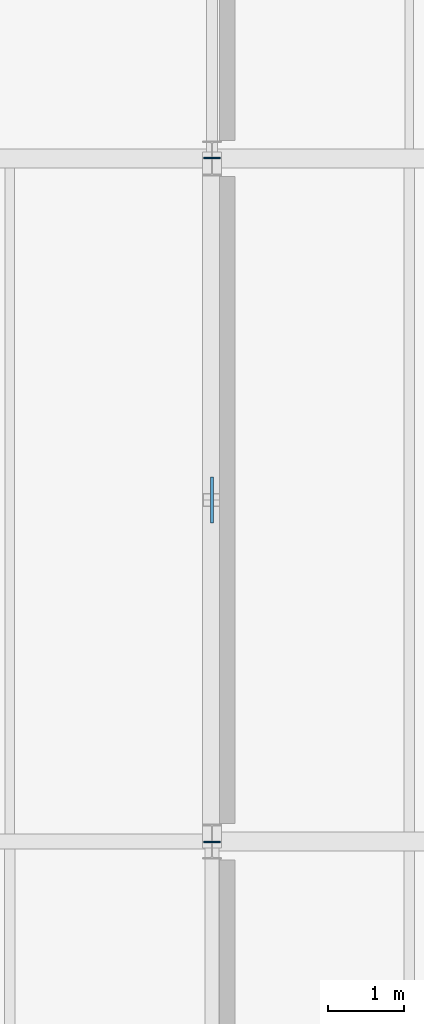
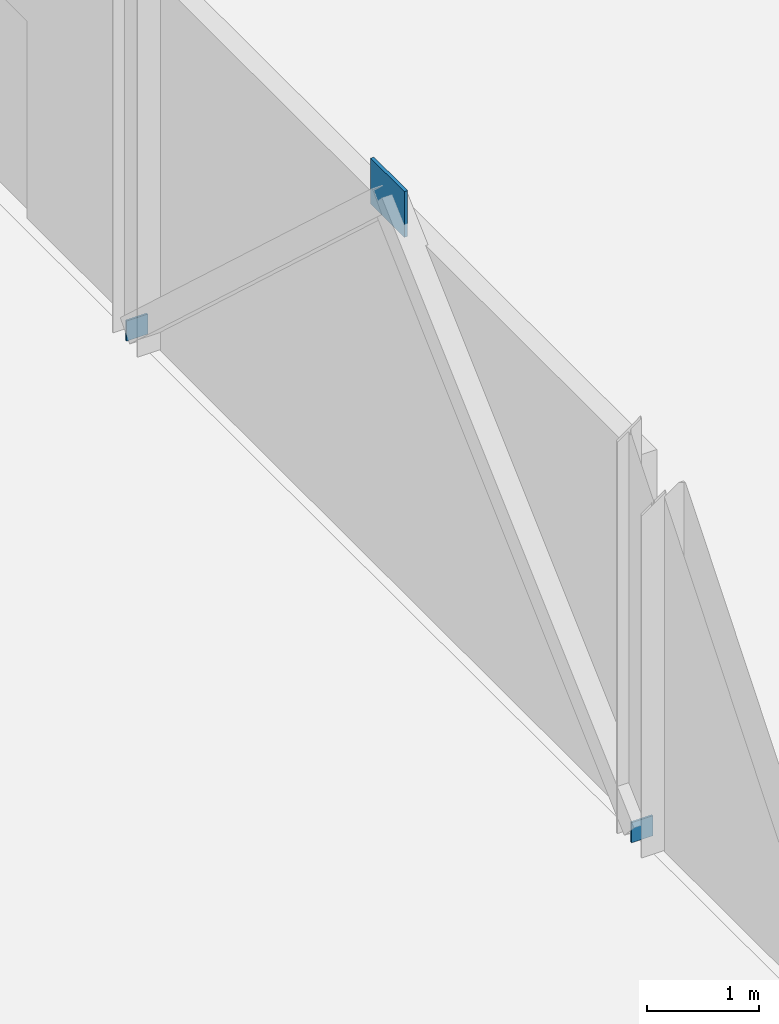
# One storey, part 103 of 127: 3 plates.
"""IFC4 building model written with IfcOpenShell, lengths in metres."""

from ifc_helpers import new_model, si_unit, derived_unit, direction, frame, origin, origin_2d, place, context, subcontext, project, spatial, rectangle, extrude, material, layer, layer_set, type_object, element, save


model = new_model("IFC4")

# Units and contexts
model_context = context("Model", 3, precision=1e-05, world=origin(), true_north=direction((0.0, 1.0)))
body_context = subcontext(model_context, "Body", "Model", "MODEL_VIEW")
ifc_project = project(units=[si_unit("LENGTHUNIT", "METRE"), si_unit("AREAUNIT", "SQUARE_METRE"), si_unit("VOLUMEUNIT", "CUBIC_METRE"), si_unit("PLANEANGLEUNIT", "RADIAN"), si_unit("MASSUNIT", "GRAM", prefix="KILO"), derived_unit("THERMALTRANSMITTANCEUNIT", [(si_unit("POWERUNIT", "WATT"), 1), (si_unit("LENGTHUNIT", "METRE"), -2), (si_unit("THERMODYNAMICTEMPERATUREUNIT", "KELVIN"), -1)])], contexts=[model_context])

# Site, building, storey
site_placement = place(None, origin())
site = spatial("IfcSite", under=ifc_project, at=site_placement, CompositionType="ELEMENT")
building_placement = place(site_placement, origin())
building = spatial("IfcBuilding", under=site, at=building_placement, Name="Nallur Shell Playhouse", CompositionType="ELEMENT")
storey_placement = place(building_placement, frame((0.0, 0.0, 5.39990234375)))
storey = spatial("IfcBuildingStorey", under=building, at=storey_placement, Name="L02", CompositionType="ELEMENT", Elevation=5.39990234375)

# Plates
ifc_material = material(Name="Steel E350", Category="steel")
ifc_layer_1 = layer(ifc_material, 0.02001953125)
ifc_layer_set_1 = layer_set([ifc_layer_1], Name="Steel E350")
plate_type_1 = type_object("IfcPlateType", Name="PT-ENDCAP-20", PredefinedType="SHEET", material=ifc_layer_set_1)
for number, where, z_axis, x_axis, name in (
    (1, (64.0, 55.99267578125, 0.033203125), (0.0, 0.0, 1.0), (1.0, 0.0, 0.0), "Hollow end cap EC-BR-FT-L02-009-0"),
    (2, (64.0, 65.00732421875, 0.033203125), (0.0, 0.0, 1.0), (1.0, 0.0, 0.0), "Hollow end cap EC-BR-FT-L02-010-0"),
):
    element("IfcPlate", number, at=place(storey_placement, frame(where, z_axis=z_axis, x_axis=x_axis)), inside=storey, type_object=plate_type_1, Name=name, PredefinedType="SHEET", context=body_context, shape_type="SweptSolid", body=[
        extrude(rectangle(XDim=0.219970703125, YDim=0.02001953125, at=origin_2d()), origin(), (0.0, 0.0, 1.0), 0.219970703125),
    ])
ifc_layer_2 = layer(ifc_material, 0.034912109375)
ifc_layer_set_2 = layer_set([ifc_layer_2], Name="Steel E350")
plate_type_2 = type_object("IfcPlateType", Name="PT-GUSSET-35", PredefinedType="USERDEFINED", material=ifc_layer_set_2)
plate_placement = place(storey_placement, frame((64.0, 60.5, 4.0400390625), z_axis=(0.0, 0.0, 1.0), x_axis=(1.0, 0.0, 0.0)))
element("IfcPlate", 3, at=plate_placement, inside=storey, type_object=plate_type_2, Name="Fly tower chevron node gusset plate TN-02 (L02)", ObjectType="GUSSET PLATE", PredefinedType="USERDEFINED", context=body_context, shape_type="SweptSolid", body=[
    extrude(rectangle(XDim=0.034912109375, YDim=0.60009765625, at=origin_2d()), origin(), (0.0, 0.0, 1.0), 0.5),
])

save(model, "model.ifc")
